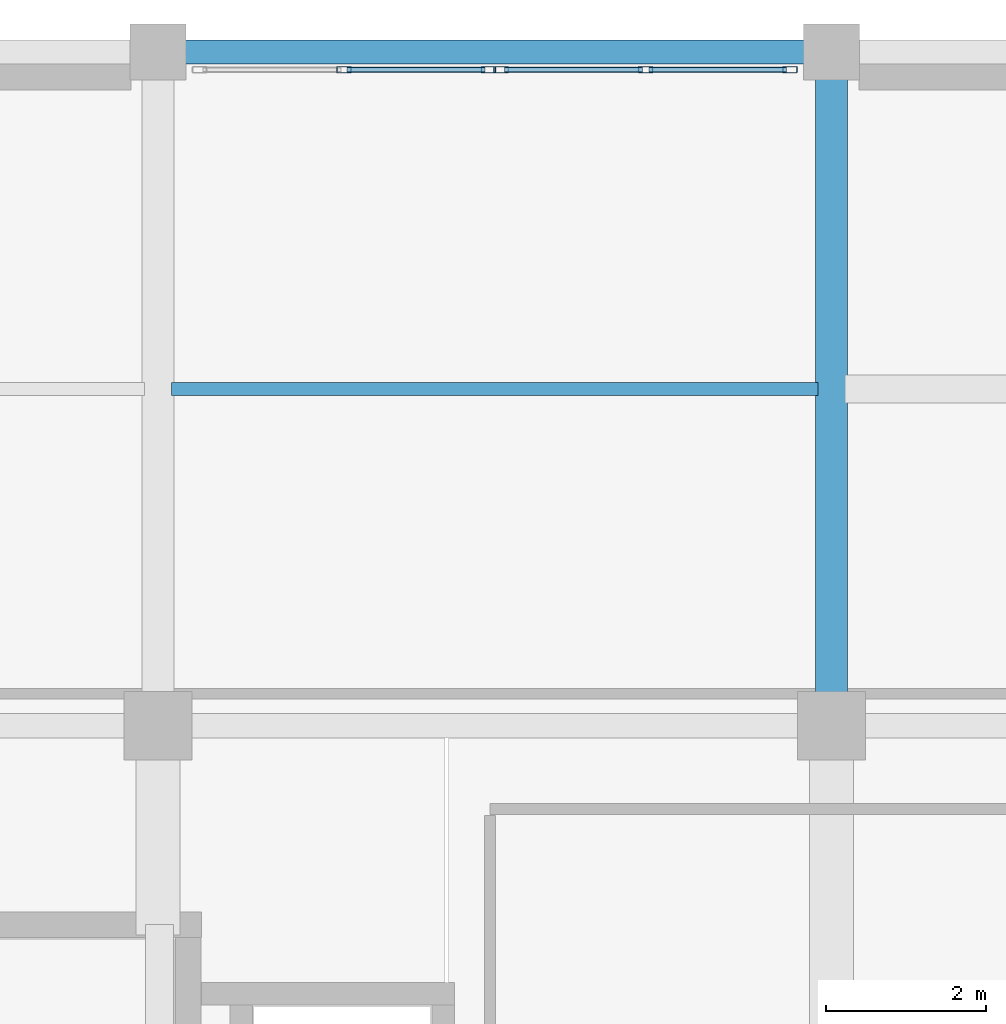
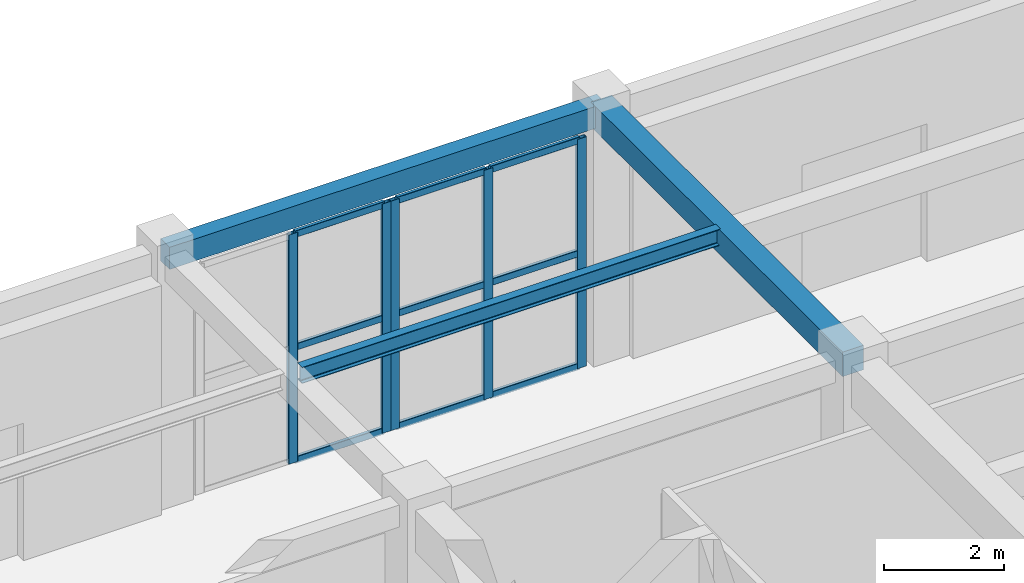
# One storey, part 44 of 98: 14 members, 3 beams, 2 elements without a shape of their own.
"""IFC4 building model written with IfcOpenShell, lengths in metres."""

from ifc_helpers import new_model, si_unit, direction, frame, origin, origin_2d, place, context, subcontext, project, spatial, rectangle, hollow_rectangle, i_section, extrude, material, layer, layer_set, material_profile, profile_set, type_object, element, aggregate, save


model = new_model("IFC4")

# Units and contexts
model_context = context("Model", 3, precision=1e-05, world=origin(), true_north=direction((0.0, 1.0)))
body_context = subcontext(model_context, "Body", "Model", "MODEL_VIEW")
ifc_project = project(units=[si_unit("LENGTHUNIT", "METRE"), si_unit("AREAUNIT", "SQUARE_METRE"), si_unit("VOLUMEUNIT", "CUBIC_METRE"), si_unit("PLANEANGLEUNIT", "RADIAN"), si_unit("MASSUNIT", "GRAM", prefix="KILO")], contexts=[model_context])

# Site, building, storey
site_placement = place(None, origin())
site = spatial("IfcSite", under=ifc_project, at=site_placement, CompositionType="ELEMENT")
building_placement = place(site_placement, origin())
building = spatial("IfcBuilding", under=site, at=building_placement, Name="Tarnavel Promenade Courthouse", CompositionType="ELEMENT")
storey_placement = place(building_placement, origin())
storey = spatial("IfcBuildingStorey", under=building, at=storey_placement, Name="L01", CompositionType="ELEMENT", Elevation=0.0)

# Beams
ifc_material_1 = material(Name="Concrete C40/50", Category="concrete")
ifc_material_profile_1 = material_profile(ifc_material_1, rectangle(XDim=0.39990234375, YDim=0.5, at=origin_2d()), Name="RC 400x500")
ifc_profile_set_1 = profile_set([ifc_material_profile_1], Name="Concrete C40/50")
beam_type_1 = type_object("IfcBeamType", Name="Concrete C40/50 BM-RC-400x500 (RC 400x500)", PredefinedType="BEAM", material=ifc_profile_set_1)
beam_1_placement = place(storey_placement, frame((92.39990234375, 104.39990234375, 4.885009765625), z_axis=(0.0, 1.0, 0.0), x_axis=(-1.0, 0.0, 0.0)))
element("IfcBeam", 1, at=beam_1_placement, inside=storey, type_object=beam_type_1, Name="L01 Transverse Girder 0819", PredefinedType="BEAM", context=body_context, shape_type="SweptSolid", body=[
    extrude(rectangle(XDim=0.39990234375, YDim=0.5, at=origin_2d()), origin(), (0.0, 0.0, 1.0), 8.400146484375),
])
ifc_material_profile_2 = material_profile(ifc_material_1, rectangle(XDim=0.300048828125, YDim=0.449951171875, at=origin_2d()), Name="RC 300x450")
ifc_profile_set_2 = profile_set([ifc_material_profile_2], Name="Concrete C40/50")
beam_type_2 = type_object("IfcBeamType", Name="Concrete C40/50 BM-SP-300x450 (RC 300x450)", PredefinedType="SPANDREL", material=ifc_profile_set_2)
beam_2_placement = place(storey_placement, frame((84.0, 112.800048828125, 4.909912109375), z_axis=(1.0, 0.0, 0.0), x_axis=(0.0, 1.0, 0.0)))
element("IfcBeam", 2, at=beam_2_placement, inside=storey, type_object=beam_type_2, Name="L01 Primary Longitudinal Beam 0729", PredefinedType="SPANDREL", context=body_context, shape_type="SweptSolid", body=[
    extrude(rectangle(XDim=0.300048828125, YDim=0.449951171875, at=origin_2d()), origin(), (0.0, 0.0, 1.0), 8.39990234375),
])
ifc_material_2 = material(Name="Steel S355J2", Category="steel")
ifc_material_profile_3 = material_profile(ifc_material_2, i_section(OverallWidth=0.159912109375, OverallDepth=0.330078125, WebThickness=0.007568359375, FlangeThickness=0.011474609375, FilletRadius=0.01806640625, at=origin_2d()), Name="IPE 330")
ifc_profile_set_3 = profile_set([ifc_material_profile_3], Name="Steel S355J2")
beam_type_3 = type_object("IfcBeamType", Name="Steel S355J2 BM-ST-IPE330 (IPE 330)", PredefinedType="JOIST", material=ifc_profile_set_3)
beam_3_placement = place(storey_placement, frame((84.169921875, 108.60009765625, 4.969970703125), z_axis=(1.0, 0.0, 0.0), x_axis=(0.0, 1.0, 0.0)))
element("IfcBeam", 3, at=beam_3_placement, inside=storey, type_object=beam_type_3, Name="L01 Secondary Floor Rib 1012", PredefinedType="JOIST", context=body_context, shape_type="SweptSolid", body=[
    extrude(i_section(OverallWidth=0.159912109375, OverallDepth=0.330078125, WebThickness=0.007568359375, FlangeThickness=0.011474609375, FilletRadius=0.01806640625, at=origin_2d()), origin(), (0.0, 0.0, 1.0), 8.06005859375),
])

# Curtain wall, members
ifc_material_3 = material(Name="Thermally Broken Anodised Aluminium Curtain Wall System", Category="aluminium")
ifc_layer = layer(ifc_material_3, 0.199951171875)
ifc_layer_set = layer_set([ifc_layer], Name="Thermally Broken Anodised Aluminium Curtain Wall System")
curtain_wall_type = type_object("IfcCurtainWallType", Name="Thermally Broken Aluminium Triple-Glazed Curtain Wall CW-FOYER", PredefinedType="NOTDEFINED", material=ifc_layer_set)
curtain_wall_1_placement = place(storey_placement, origin())
curtain_wall_1 = element("IfcCurtainWall", 4, at=curtain_wall_1_placement, inside=storey, type_object=curtain_wall_type, Name="L01 North Foyer Curtain Wall A 124", PredefinedType="NOTDEFINED")
ifc_material_4 = material(Name="Thermally Broken Anodised Aluminium Frame", Category="aluminium")
ifc_material_profile_4 = material_profile(ifc_material_4, hollow_rectangle(XDim=0.080078125, YDim=0.179931640625, WallThickness=0.0048828125, InnerFilletRadius=0.0048828125, OuterFilletRadius=0.010009765625, at=origin_2d()), Name="CWM 180x80x5")
ifc_profile_set_4 = profile_set([ifc_material_profile_4], Name="Thermally Broken Anodised Aluminium Frame")
member_type_1 = type_object("IfcMemberType", Name="Thermally Broken Anodised Aluminium CWM-155 (CWM 180x80x5)", PredefinedType="MULLION", material=ifc_profile_set_4)
member_1_placement = place(storey_placement, frame((86.320068359375, 112.580078125, 0.0), z_axis=(0.0, 0.0, 1.0), x_axis=(0.0, 1.0, 0.0)))
member_1 = element("IfcMember", 5, at=member_1_placement, type_object=member_type_1, Name="CW-04 mullion 2", PredefinedType="MULLION", context=body_context, shape_type="SweptSolid", body=[
    extrude(hollow_rectangle(XDim=0.080078125, YDim=0.179931640625, WallThickness=0.0048828125, InnerFilletRadius=0.0048828125, OuterFilletRadius=0.010009765625, at=origin_2d()), origin(), (0.0, 0.0, 1.0), 4.669921875),
])
member_2_placement = place(storey_placement, frame((88.1201171875, 112.580078125, 0.0), z_axis=(0.0, 0.0, 1.0), x_axis=(0.0, 1.0, 0.0)))
member_2 = element("IfcMember", 6, at=member_2_placement, type_object=member_type_1, Name="CW-04 mullion 3", PredefinedType="MULLION", context=body_context, shape_type="SweptSolid", body=[
    extrude(hollow_rectangle(XDim=0.080078125, YDim=0.179931640625, WallThickness=0.0048828125, InnerFilletRadius=0.0048828125, OuterFilletRadius=0.010009765625, at=origin_2d()), origin(), (0.0, 0.0, 1.0), 4.669921875),
])

curtain_wall_2_placement = place(storey_placement, origin())
curtain_wall_2 = element("IfcCurtainWall", 7, at=curtain_wall_2_placement, inside=storey, type_object=curtain_wall_type, Name="L01 North Foyer Curtain Wall B 125", PredefinedType="NOTDEFINED")
member_3_placement = place(storey_placement, frame((88.280029296875, 112.580078125, 0.0), z_axis=(0.0, 0.0, 1.0), x_axis=(0.0, 1.0, 0.0)))
member_3 = element("IfcMember", 8, at=member_3_placement, type_object=member_type_1, Name="CW-04 mullion 1", PredefinedType="MULLION", context=body_context, shape_type="SweptSolid", body=[
    extrude(hollow_rectangle(XDim=0.080078125, YDim=0.179931640625, WallThickness=0.0048828125, InnerFilletRadius=0.0048828125, OuterFilletRadius=0.010009765625, at=origin_2d()), origin(), (0.0, 0.0, 1.0), 4.669921875),
])
member_4_placement = place(storey_placement, frame((90.080078125, 112.580078125, 0.0), z_axis=(0.0, 0.0, 1.0), x_axis=(0.0, 1.0, 0.0)))
member_4 = element("IfcMember", 9, at=member_4_placement, type_object=member_type_1, Name="CW-04 mullion 2", PredefinedType="MULLION", context=body_context, shape_type="SweptSolid", body=[
    extrude(hollow_rectangle(XDim=0.080078125, YDim=0.179931640625, WallThickness=0.0048828125, InnerFilletRadius=0.0048828125, OuterFilletRadius=0.010009765625, at=origin_2d()), origin(), (0.0, 0.0, 1.0), 4.669921875),
])
member_5_placement = place(storey_placement, frame((91.8798828125, 112.580078125, 0.0), z_axis=(0.0, 0.0, 1.0), x_axis=(0.0, 1.0, 0.0)))
member_5 = element("IfcMember", 10, at=member_5_placement, type_object=member_type_1, Name="CW-04 mullion 3", PredefinedType="MULLION", context=body_context, shape_type="SweptSolid", body=[
    extrude(hollow_rectangle(XDim=0.080078125, YDim=0.179931640625, WallThickness=0.0048828125, InnerFilletRadius=0.0048828125, OuterFilletRadius=0.010009765625, at=origin_2d()), origin(), (0.0, 0.0, 1.0), 4.669921875),
])

# Member
ifc_material_profile_5 = material_profile(ifc_material_4, hollow_rectangle(XDim=0.070068359375, YDim=0.139892578125, WallThickness=0.0048828125, InnerFilletRadius=0.0048828125, OuterFilletRadius=0.010009765625, at=origin_2d()), Name="CWT 140x70x5")
ifc_profile_set_5 = profile_set([ifc_material_profile_5], Name="Thermally Broken Anodised Aluminium Frame")
member_type_2 = type_object("IfcMemberType", Name="Thermally Broken Anodised Aluminium CWT-125 (CWT 140x70x5)", PredefinedType="USERDEFINED", material=ifc_profile_set_5)
member_6_placement = place(storey_placement, frame((86.360107421875, 112.580078125, 0.034912109375), z_axis=(1.0, 0.0, 0.0), x_axis=(0.0, 1.0, 0.0)))
member_6 = element("IfcMember", 11, at=member_6_placement, type_object=member_type_2, Name="CW-04 transom 2.1", ObjectType="TRANSOM", PredefinedType="USERDEFINED", context=body_context, shape_type="SweptSolid", body=[
    extrude(hollow_rectangle(XDim=0.070068359375, YDim=0.139892578125, WallThickness=0.0048828125, InnerFilletRadius=0.0048828125, OuterFilletRadius=0.010009765625, at=origin_2d()), origin(), (0.0, 0.0, 1.0), 1.719970703125),
])

member_7_placement = place(storey_placement, frame((86.360107421875, 112.580078125, 2.3349609375), z_axis=(1.0, 0.0, 0.0), x_axis=(0.0, 1.0, 0.0)))
member_7 = element("IfcMember", 12, at=member_7_placement, type_object=member_type_2, Name="CW-04 transom 2.2", ObjectType="TRANSOM", PredefinedType="USERDEFINED", context=body_context, shape_type="SweptSolid", body=[
    extrude(hollow_rectangle(XDim=0.070068359375, YDim=0.139892578125, WallThickness=0.0048828125, InnerFilletRadius=0.0048828125, OuterFilletRadius=0.010009765625, at=origin_2d()), origin(), (0.0, 0.0, 1.0), 1.719970703125),
])

member_8_placement = place(storey_placement, frame((86.360107421875, 112.580078125, 4.635009765625), z_axis=(1.0, 0.0, 0.0), x_axis=(0.0, 1.0, 0.0)))
member_8 = element("IfcMember", 13, at=member_8_placement, type_object=member_type_2, Name="CW-04 transom 2.3", ObjectType="TRANSOM", PredefinedType="USERDEFINED", context=body_context, shape_type="SweptSolid", body=[
    extrude(hollow_rectangle(XDim=0.070068359375, YDim=0.139892578125, WallThickness=0.0048828125, InnerFilletRadius=0.0048828125, OuterFilletRadius=0.010009765625, at=origin_2d()), origin(), (0.0, 0.0, 1.0), 1.719970703125),
])

aggregate(curtain_wall_1, [member_1, member_2, member_6, member_7, member_8])

member_9_placement = place(storey_placement, frame((88.320068359375, 112.580078125, 0.034912109375), z_axis=(1.0, 0.0, 0.0), x_axis=(0.0, 1.0, 0.0)))
member_9 = element("IfcMember", 14, at=member_9_placement, type_object=member_type_2, Name="CW-04 transom 1.1", ObjectType="TRANSOM", PredefinedType="USERDEFINED", context=body_context, shape_type="SweptSolid", body=[
    extrude(hollow_rectangle(XDim=0.070068359375, YDim=0.139892578125, WallThickness=0.0048828125, InnerFilletRadius=0.0048828125, OuterFilletRadius=0.010009765625, at=origin_2d()), origin(), (0.0, 0.0, 1.0), 1.719970703125),
])

member_10_placement = place(storey_placement, frame((88.320068359375, 112.580078125, 2.3349609375), z_axis=(1.0, 0.0, 0.0), x_axis=(0.0, 1.0, 0.0)))
member_10 = element("IfcMember", 15, at=member_10_placement, type_object=member_type_2, Name="CW-04 transom 1.2", ObjectType="TRANSOM", PredefinedType="USERDEFINED", context=body_context, shape_type="SweptSolid", body=[
    extrude(hollow_rectangle(XDim=0.070068359375, YDim=0.139892578125, WallThickness=0.0048828125, InnerFilletRadius=0.0048828125, OuterFilletRadius=0.010009765625, at=origin_2d()), origin(), (0.0, 0.0, 1.0), 1.719970703125),
])

member_11_placement = place(storey_placement, frame((88.320068359375, 112.580078125, 4.635009765625), z_axis=(1.0, 0.0, 0.0), x_axis=(0.0, 1.0, 0.0)))
member_11 = element("IfcMember", 16, at=member_11_placement, type_object=member_type_2, Name="CW-04 transom 1.3", ObjectType="TRANSOM", PredefinedType="USERDEFINED", context=body_context, shape_type="SweptSolid", body=[
    extrude(hollow_rectangle(XDim=0.070068359375, YDim=0.139892578125, WallThickness=0.0048828125, InnerFilletRadius=0.0048828125, OuterFilletRadius=0.010009765625, at=origin_2d()), origin(), (0.0, 0.0, 1.0), 1.719970703125),
])

member_12_placement = place(storey_placement, frame((90.1201171875, 112.580078125, 0.034912109375), z_axis=(1.0, 0.0, 0.0), x_axis=(0.0, 1.0, 0.0)))
member_12 = element("IfcMember", 17, at=member_12_placement, type_object=member_type_2, Name="CW-04 transom 2.1", ObjectType="TRANSOM", PredefinedType="USERDEFINED", context=body_context, shape_type="SweptSolid", body=[
    extrude(hollow_rectangle(XDim=0.070068359375, YDim=0.139892578125, WallThickness=0.0048828125, InnerFilletRadius=0.0048828125, OuterFilletRadius=0.010009765625, at=origin_2d()), origin(), (0.0, 0.0, 1.0), 1.719970703125),
])

member_13_placement = place(storey_placement, frame((90.1201171875, 112.580078125, 2.3349609375), z_axis=(1.0, 0.0, 0.0), x_axis=(0.0, 1.0, 0.0)))
member_13 = element("IfcMember", 18, at=member_13_placement, type_object=member_type_2, Name="CW-04 transom 2.2", ObjectType="TRANSOM", PredefinedType="USERDEFINED", context=body_context, shape_type="SweptSolid", body=[
    extrude(hollow_rectangle(XDim=0.070068359375, YDim=0.139892578125, WallThickness=0.0048828125, InnerFilletRadius=0.0048828125, OuterFilletRadius=0.010009765625, at=origin_2d()), origin(), (0.0, 0.0, 1.0), 1.719970703125),
])

member_14_placement = place(storey_placement, frame((90.1201171875, 112.580078125, 4.635009765625), z_axis=(1.0, 0.0, 0.0), x_axis=(0.0, 1.0, 0.0)))
member_14 = element("IfcMember", 19, at=member_14_placement, type_object=member_type_2, Name="CW-04 transom 2.3", ObjectType="TRANSOM", PredefinedType="USERDEFINED", context=body_context, shape_type="SweptSolid", body=[
    extrude(hollow_rectangle(XDim=0.070068359375, YDim=0.139892578125, WallThickness=0.0048828125, InnerFilletRadius=0.0048828125, OuterFilletRadius=0.010009765625, at=origin_2d()), origin(), (0.0, 0.0, 1.0), 1.719970703125),
])

aggregate(curtain_wall_2, [member_3, member_4, member_5, member_9, member_10, member_11, member_12, member_13, member_14])

save(model, "model.ifc")
